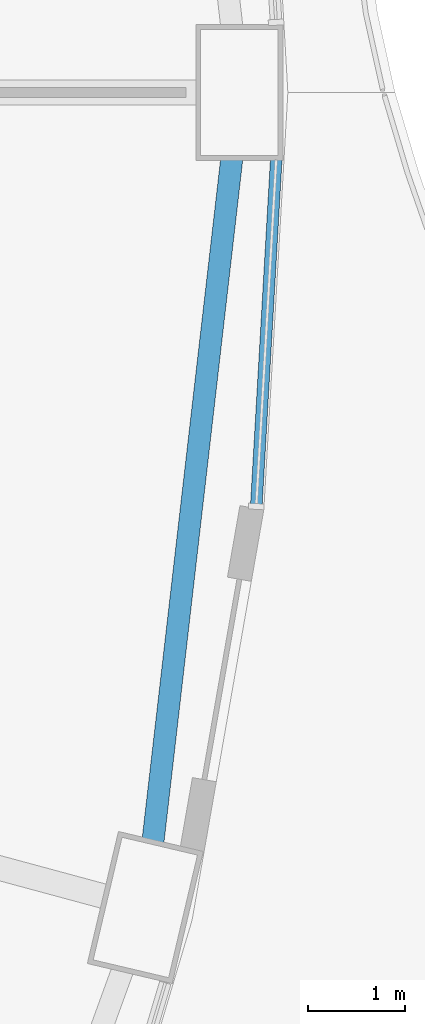
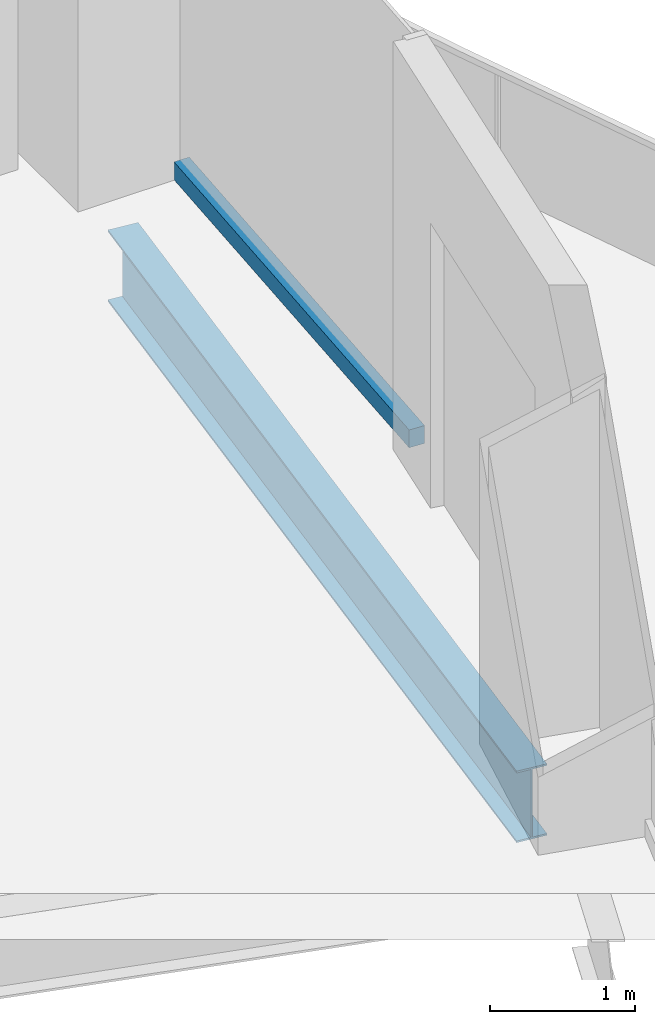
# One storey, part 6 of 22: 1 beam, 1 member, 1 element without a shape of its own.
"""IFC4 building model written with IfcOpenShell, lengths in metres."""

from ifc_helpers import new_model, si_unit, direction, frame, origin, origin_2d, place, context, subcontext, project, spatial, rectangle, i_section, extrude, material, layer, layer_set, material_profile, profile_set, type_object, element, aggregate, save


model = new_model("IFC4")

# Units and contexts
model_context = context("Model", 3, precision=1e-05, world=origin(), true_north=direction((0.0, 1.0)))
body_context = subcontext(model_context, "Body", "Model", "MODEL_VIEW")
ifc_project = project(units=[si_unit("LENGTHUNIT", "METRE"), si_unit("AREAUNIT", "SQUARE_METRE"), si_unit("VOLUMEUNIT", "CUBIC_METRE"), si_unit("PLANEANGLEUNIT", "RADIAN"), si_unit("MASSUNIT", "GRAM", prefix="KILO")], contexts=[model_context])

# Site, building, storey
site_placement = place(None, origin())
site = spatial("IfcSite", under=ifc_project, at=site_placement, CompositionType="ELEMENT")
building_placement = place(site_placement, origin())
building = spatial("IfcBuilding", under=site, at=building_placement, Name="Nagisa Residences", CompositionType="ELEMENT")
storey_placement = place(building_placement, frame((0.0, 0.0, 41.800048828125)))
storey = spatial("IfcBuildingStorey", under=building, at=storey_placement, Name="L09", CompositionType="ELEMENT", Elevation=41.800048828125)

# Curtain wall, member
ifc_material_1 = material(Name="Concrete-coloured aluminium curtain wall system", Category="concrete")
ifc_layer = layer(ifc_material_1, 0.159912109375)
ifc_layer_set = layer_set([ifc_layer], Name="CW1 CURTAIN WALL")
curtain_wall_type = type_object("IfcCurtainWallType", Name="CW1 CURTAIN WALL", PredefinedType="NOTDEFINED", material=ifc_layer_set)
curtain_wall_placement = place(storey_placement, origin())
curtain_wall = element("IfcCurtainWall", 1, at=curtain_wall_placement, inside=storey, type_object=curtain_wall_type, Name="cw:CW1:L09:47", PredefinedType="NOTDEFINED")
ifc_material_2 = material(Name="Concrete-coloured aluminium", Category="concrete")
ifc_material_profile_1 = material_profile(ifc_material_2, rectangle(XDim=0.1201171875, YDim=0.14990234375, at=origin_2d()), Name="CW1 TRANSOM 120x150")
ifc_profile_set_1 = profile_set([ifc_material_profile_1], Name="Concrete-coloured aluminium")
member_type = type_object("IfcMemberType", Name="CW1 TRANSOM 120x150", PredefinedType="USERDEFINED", material=ifc_profile_set_1)
member_placement = place(storey_placement, frame((32.27197265625, -4.302734375, 0.074951171875), z_axis=(0.057549926952, 0.998342629515, 0.0), x_axis=(-0.998342629515, 0.057549926952, 0.0)))
member = element("IfcMember", 2, at=member_placement, type_object=member_type, Name="CW1 transom", ObjectType="TRANSOM", PredefinedType="USERDEFINED", context=body_context, shape_type="SweptSolid", body=[
    extrude(rectangle(XDim=0.1201171875, YDim=0.14990234375, at=origin_2d()), origin(), (0.0, 0.0, 1.0), 3.614501953125),
])
aggregate(curtain_wall, [member])

# Beam
ifc_material_3 = material(Name="Steel ASTM A572 Gr 50", Category="steel")
ifc_material_profile_2 = material_profile(ifc_material_3, i_section(OverallWidth=0.22802734375, OverallDepth=0.60302734375, WebThickness=0.010498046875, FlangeThickness=0.014892578125, at=origin_2d()), Name="W610x101")
ifc_profile_set_2 = profile_set([ifc_material_profile_2], Name="Steel ASTM A572 Gr 50")
beam_type = type_object("IfcBeamType", Name="Perimeter ring beam W610x101", PredefinedType="BEAM", material=ifc_profile_set_2)
beam_placement = place(storey_placement, frame((31.20751953125, -7.7314453125, -0.5615234375), z_axis=(0.114673717321, 0.993403210462, 0.0), x_axis=(-0.993403210462, 0.114673717321, 0.0)))
element("IfcBeam", 3, at=beam_placement, inside=storey, type_object=beam_type, Name="beam:L09:pb24", PredefinedType="BEAM", context=body_context, shape_type="SweptSolid", body=[
    extrude(i_section(OverallWidth=0.22802734375, OverallDepth=0.60302734375, WebThickness=0.010498046875, FlangeThickness=0.014892578125, at=origin_2d()), origin(), (0.0, 0.0, 1.0), 7.09814453125),
])

save(model, "model.ifc")
